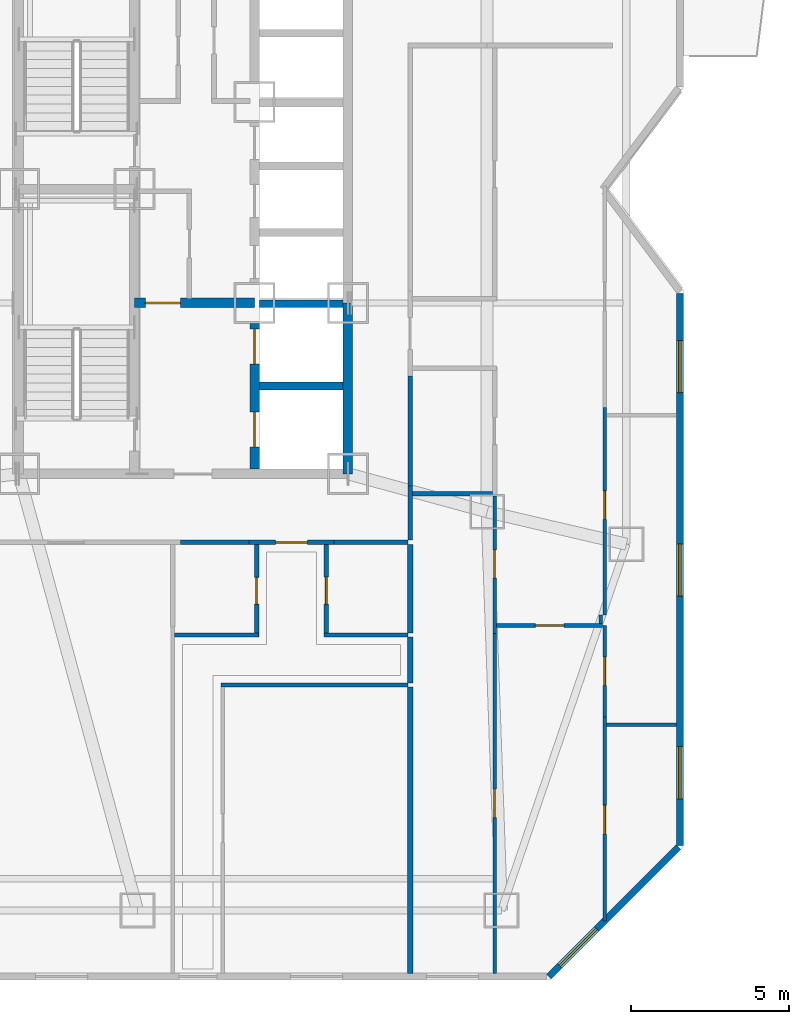
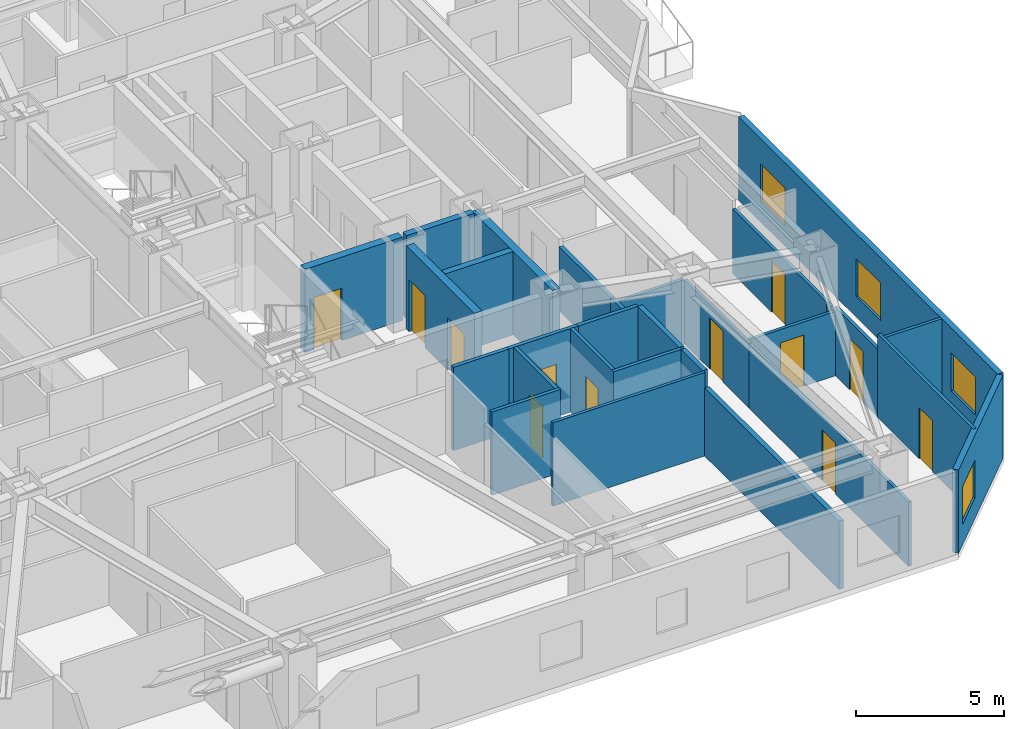
# One storey, part 10 of 17: 29 walls, 12 doors, 4 windows, 16 openings.
"""IFC4 building model written with IfcOpenShell, lengths in metres."""

from ifc_helpers import new_model, si_unit, direction, frame, frame_2d, origin, place, context, subcontext, project, spatial, rectangle, extrude, material, layer, layer_set, type_object, element, fill, save


model = new_model("IFC4")

# Units and contexts
model_context = context("Model", 3, precision=1e-05, world=origin(), true_north=direction((0.0, 1.0)))
body_context = subcontext(model_context, "Body", "Model", "MODEL_VIEW")
ifc_project = project(units=[si_unit("LENGTHUNIT", "METRE"), si_unit("AREAUNIT", "SQUARE_METRE"), si_unit("VOLUMEUNIT", "CUBIC_METRE"), si_unit("PLANEANGLEUNIT", "RADIAN"), si_unit("MASSUNIT", "GRAM", prefix="KILO")], contexts=[model_context])

# Site, building, storey
site_placement = place(None, origin())
site = spatial("IfcSite", under=ifc_project, at=site_placement, CompositionType="ELEMENT")
building_placement = place(site_placement, origin())
building = spatial("IfcBuilding", under=site, at=building_placement, Name="Khamvora Tower", CompositionType="ELEMENT")
storey_placement = place(building_placement, frame((0.0, 0.0, 44.25)))
storey = spatial("IfcBuildingStorey", under=building, at=storey_placement, Name="L10", CompositionType="ELEMENT", Elevation=44.25)

# Wall
ifc_material_1 = material(Name="Concrete C50/60", Category="concrete")
ifc_layer_1 = layer(ifc_material_1, 0.300048828125)
ifc_layer_set_1 = layer_set([ifc_layer_1], Name="Concrete C50/60")
wall_type_1 = type_object("IfcWallType", Name="WAL-CORE-300", PredefinedType="SHEAR", material=ifc_layer_set_1)
wall_1_placement = place(storey_placement, frame((39.39990234375, 19.0, 0.0), z_axis=(0.0, 0.0, 1.0), x_axis=(0.0, 1.0, 0.0)))
element("IfcWall", 1, at=wall_1_placement, inside=storey, type_object=wall_type_1, Name="L10 central core east south wall", PredefinedType="SHEAR", context=body_context, shape_type="SweptSolid", body=[
    extrude(rectangle(XDim=5.39990234375, YDim=0.300048828125, at=frame_2d((2.699951171875, 0.0))), origin(), (0.0, 0.0, 1.0), 3.429931640625),
])

# Wall, opening, door
wall_2_placement = place(storey_placement, frame((32.64990234375, 24.39990234375, 0.0), z_axis=(0.0, 0.0, 1.0), x_axis=(1.0, 0.0, 0.0)))
wall_2 = element("IfcWall", 2, at=wall_2_placement, inside=storey, type_object=wall_type_1, Name="L10 central core firefighting lobby north wall", PredefinedType="SHEAR", context=body_context, shape_type="SweptSolid", body=[
    extrude(rectangle(XDim=3.800048828125, YDim=0.300048828125, at=frame_2d((1.89990234375, 0.0))), origin(), (0.0, 0.0, 1.0), 3.429931640625),
])
opening_1_placement = place(wall_2_placement, frame((0.35009765625, 0.0, 0.0)))
opening_1 = element("IfcOpeningElement", 3, at=opening_1_placement, cuts=wall_2, Name="Opening D-FF1", PredefinedType="OPENING", context=body_context, shape_type="SweptSolid", body=[
    extrude(rectangle(XDim=1.10009765625, YDim=2.14990234375, at=frame_2d((0.550048828125, 1.074951171875))), frame((0.0, 0.159912109375, 0.0), z_axis=(0.0, -1.0, 0.0), x_axis=(1.0, 0.0, 0.0)), (0.0, 0.0, 1.0), 0.320068359375),
])
ifc_material_2 = material(Name="Powder-Coated Steel and Hardwood Leaf", Category="steel")
door_type_1 = type_object("IfcDoorType", Name="DOR-FFLOB-1100", OperationType="NOTDEFINED", PredefinedType="DOOR", material=ifc_material_2)
door_1_placement = place(opening_1_placement, origin())
door_1 = element("IfcDoor", 4, at=door_1_placement, inside=storey, type_object=door_type_1, Name="L10 firefighting lobby smoke-seal fire door", OperationType="SINGLE_SWING_LEFT", OverallHeight=2.14990234375, OverallWidth=1.10009765625, PredefinedType="DOOR", context=body_context, shape_type="SweptSolid", body=[
    extrude(rectangle(XDim=1.10009765625, YDim=2.14990234375, at=frame_2d((0.550048828125, 1.074951171875))), frame((0.0, 0.02490234375, 0.0), z_axis=(0.0, -1.0, 0.0), x_axis=(1.0, 0.0, 0.0)), (0.0, 0.0, 1.0), 0.050048828125),
])
fill(opening_1, door_1)

# Wall, openings, doors
wall_3_placement = place(storey_placement, frame((36.449951171875, 19.154052734375, 0.0), z_axis=(0.0, 0.0, 1.0), x_axis=(0.0, 1.0, 0.0)))
wall_3 = element("IfcWall", 5, at=wall_3_placement, inside=storey, type_object=wall_type_1, Name="L10 central core lift bank south wall", PredefinedType="SHEAR", context=body_context, shape_type="SweptSolid", body=[
    extrude(rectangle(XDim=4.595947265625, YDim=0.300048828125, at=frame_2d((2.2978515625, 0.0))), origin(), (0.0, 0.0, 1.0), 3.429931640625),
])
opening_2_placement = place(wall_3_placement, frame((0.696044921875, 0.0, 0.0)))
opening_2 = element("IfcOpeningElement", 6, at=opening_2_placement, cuts=wall_3, Name="Opening LD-FFL", PredefinedType="OPENING", context=body_context, shape_type="SweptSolid", body=[
    extrude(rectangle(XDim=1.10009765625, YDim=2.14990234375, at=frame_2d((0.550048828125, 1.074951171875))), frame((0.0, 0.159912109375, 0.0), z_axis=(0.0, -1.0, 0.0), x_axis=(1.0, 0.0, 0.0)), (0.0, 0.0, 1.0), 0.320068359375),
])
opening_3_placement = place(wall_3_placement, frame((3.31591796875, 0.0, 0.0)))
opening_3 = element("IfcOpeningElement", 7, at=opening_3_placement, cuts=wall_3, Name="Opening LD-FFL", PredefinedType="OPENING", context=body_context, shape_type="SweptSolid", body=[
    extrude(rectangle(XDim=1.10009765625, YDim=2.14990234375, at=frame_2d((0.550048828125, 1.074951171875))), frame((0.0, 0.159912109375, 0.0), z_axis=(0.0, -1.0, 0.0), x_axis=(1.0, 0.0, 0.0)), (0.0, 0.0, 1.0), 0.320068359375),
])
door_type_2 = type_object("IfcDoorType", Name="DOR-LIFT-1100", OperationType="SLIDING_TO_LEFT", PredefinedType="DOOR", material=ifc_material_2)
door_2_placement = place(opening_2_placement, origin())
door_2 = element("IfcDoor", 8, at=door_2_placement, inside=storey, type_object=door_type_2, Name="L10 lift landing sliding door FFL-01", OperationType="SLIDING_TO_LEFT", OverallHeight=2.14990234375, OverallWidth=1.10009765625, PredefinedType="DOOR", context=body_context, shape_type="SweptSolid", body=[
    extrude(rectangle(XDim=1.10009765625, YDim=2.14990234375, at=frame_2d((0.550048828125, 1.074951171875))), frame((0.0, 0.02490234375, 0.0), z_axis=(0.0, -1.0, 0.0), x_axis=(1.0, 0.0, 0.0)), (0.0, 0.0, 1.0), 0.050048828125),
])
fill(opening_2, door_2)
door_3_placement = place(opening_3_placement, origin())
door_3 = element("IfcDoor", 9, at=door_3_placement, inside=storey, type_object=door_type_2, Name="L10 lift landing sliding door FFL-02", OperationType="SLIDING_TO_LEFT", OverallHeight=2.14990234375, OverallWidth=1.10009765625, PredefinedType="DOOR", context=body_context, shape_type="SweptSolid", body=[
    extrude(rectangle(XDim=1.10009765625, YDim=2.14990234375, at=frame_2d((0.550048828125, 1.074951171875))), frame((0.0, 0.02490234375, 0.0), z_axis=(0.0, -1.0, 0.0), x_axis=(1.0, 0.0, 0.0)), (0.0, 0.0, 1.0), 0.050048828125),
])
fill(opening_3, door_3)

# Wall, opening, door
ifc_material_3 = material(Name="Fire-Rated Drywall and Steel Stud", Category="steel")
ifc_layer_2 = layer(ifc_material_3, 0.14990234375)
ifc_layer_set_2 = layer_set([ifc_layer_2], Name="Fire-Rated Drywall and Steel Stud")
wall_type_2 = type_object("IfcWallType", Name="WAL-CORR-150", PredefinedType="STANDARD", material=ifc_layer_set_2)
wall_4_placement = place(storey_placement, frame((38.964111328125, 16.8349609375, 0.0), z_axis=(0.0, 0.0, 1.0), x_axis=(-1.0, 0.0, 0.0)))
wall_4 = element("IfcWall", 10, at=wall_4_placement, inside=storey, type_object=wall_type_2, Name="L10 interior partition wall 026", PredefinedType="STANDARD", context=body_context, shape_type="SweptSolid", body=[
    extrude(rectangle(XDim=2.697998046875, YDim=0.14990234375, at=frame_2d((1.34912109375, 0.0))), origin(), (0.0, 0.0, 1.0), 3.429931640625),
])
opening_4_placement = place(wall_4_placement, frame((0.84912109375, 0.0, 0.0)))
opening_4 = element("IfcOpeningElement", 11, at=opening_4_placement, cuts=wall_4, Name="Opening D-U1", PredefinedType="OPENING", context=body_context, shape_type="SweptSolid", body=[
    extrude(rectangle(XDim=1.0, YDim=2.14990234375, at=frame_2d((0.5, 1.074951171875))), frame((0.0, 0.0849609375, 0.0), z_axis=(0.0, -1.0, 0.0), x_axis=(1.0, 0.0, 0.0)), (0.0, 0.0, 1.0), 0.169921875),
])
door_type_3 = type_object("IfcDoorType", Name="DOR-UNIT-1000", OperationType="NOTDEFINED", PredefinedType="DOOR", material=ifc_material_2)
door_4_placement = place(opening_4_placement, origin())
door_4 = element("IfcDoor", 12, at=door_4_placement, inside=storey, type_object=door_type_3, Name="L10 interior door COR-10SAH", OperationType="SINGLE_SWING_RIGHT", OverallHeight=2.14990234375, OverallWidth=1.0, PredefinedType="DOOR", context=body_context, shape_type="SweptSolid", body=[
    extrude(rectangle(XDim=1.0, YDim=2.14990234375, at=frame_2d((0.5, 1.074951171875))), frame((0.0, 0.02490234375, 0.0), z_axis=(0.0, -1.0, 0.0), x_axis=(1.0, 0.0, 0.0)), (0.0, 0.0, 1.0), 0.050048828125),
])
fill(opening_4, door_4)

# Walls
wall_5_placement = place(storey_placement, frame((36.26611328125, 16.8349609375, 0.0), z_axis=(0.0, 0.0, 1.0), x_axis=(-1.0, 0.0, 0.0)))
element("IfcWall", 13, at=wall_5_placement, inside=storey, type_object=wall_type_2, Name="L10 interior partition wall 027", PredefinedType="STANDARD", context=body_context, shape_type="SweptSolid", body=[
    extrude(rectangle(XDim=2.152099609375, YDim=0.14990234375, at=frame_2d((1.076171875, 0.0))), origin(), (0.0, 0.0, 1.0), 3.429931640625),
])
wall_6_placement = place(storey_placement, frame((41.300048828125, 16.8349609375, 0.0), z_axis=(0.0, 0.0, 1.0), x_axis=(-1.0, 0.0, 0.0)))
element("IfcWall", 14, at=wall_6_placement, inside=storey, type_object=wall_type_2, Name="L10 interior partition wall 028", PredefinedType="STANDARD", context=body_context, shape_type="SweptSolid", body=[
    extrude(rectangle(XDim=2.3359375, YDim=0.14990234375, at=frame_2d((1.16796875, 0.0))), origin(), (0.0, 0.0, 1.0), 3.429931640625),
])
wall_7_placement = place(storey_placement, frame((41.364990234375, 18.617919921875, 0.0), z_axis=(0.0, 0.0, 1.0), x_axis=(0.0, -1.0, 0.0)))
element("IfcWall", 15, at=wall_7_placement, inside=storey, type_object=wall_type_2, Name="L10 interior partition wall 032", PredefinedType="STANDARD", context=body_context, shape_type="SweptSolid", body=[
    extrude(rectangle(XDim=1.718017578125, YDim=0.14990234375, at=frame_2d((0.85888671875, 0.0))), origin(), (0.0, 0.0, 1.0), 2.64697265625),
])
wall_8_placement = place(storey_placement, frame((41.364990234375, 22.0849609375, 0.0), z_axis=(0.0, 0.0, 1.0), x_axis=(0.0, -1.0, 0.0)))
element("IfcWall", 16, at=wall_8_placement, inside=storey, type_object=wall_type_2, Name="L10 interior partition wall 035", PredefinedType="STANDARD", context=body_context, shape_type="SweptSolid", body=[
    extrude(rectangle(XDim=3.467041015625, YDim=0.14990234375, at=frame_2d((1.7333984375, 0.0))), origin(), (0.0, 0.0, 1.0), 2.64697265625),
])
ifc_material_4 = material(Name="Acoustic Double-Stud Fire Wall", Category="gypsum")
ifc_layer_3 = layer(ifc_material_4, 0.179931640625)
ifc_layer_set_3 = layer_set([ifc_layer_3], Name="Acoustic Double-Stud Fire Wall")
wall_type_3 = type_object("IfcWallType", Name="WAL-CORR-180", PredefinedType="STANDARD", material=ifc_layer_set_3)
wall_9_placement = place(storey_placement, frame((41.364990234375, 13.841064453125, 0.0), z_axis=(0.0, 0.0, 1.0), x_axis=(0.0, -1.0, 0.0)))
element("IfcWall", 17, at=wall_9_placement, inside=storey, type_object=wall_type_3, Name="L10 interior partition wall 131", PredefinedType="STANDARD", context=body_context, shape_type="SweptSolid", body=[
    extrude(rectangle(XDim=1.449951171875, YDim=0.179931640625, at=frame_2d((0.72509765625, 0.0))), origin(), (0.0, 0.0, 1.0), 3.429931640625),
])
wall_10_placement = place(storey_placement, frame((41.364990234375, 16.77001953125, 0.0), z_axis=(0.0, 0.0, 1.0), x_axis=(0.0, -1.0, 0.0)))
element("IfcWall", 18, at=wall_10_placement, inside=storey, type_object=wall_type_3, Name="L10 interior partition wall 132", PredefinedType="STANDARD", context=body_context, shape_type="SweptSolid", body=[
    extrude(rectangle(XDim=2.799072265625, YDim=0.179931640625, at=frame_2d((1.3994140625, 0.0))), origin(), (0.0, 0.0, 1.0), 3.429931640625),
])
wall_11_placement = place(storey_placement, frame((41.364990234375, 12.260986328125, 0.0), z_axis=(0.0, 0.0, 1.0), x_axis=(0.0, -1.0, 0.0)))
element("IfcWall", 19, at=wall_11_placement, inside=storey, type_object=wall_type_3, Name="L10 interior partition wall 133", PredefinedType="STANDARD", context=body_context, shape_type="SweptSolid", body=[
    extrude(rectangle(XDim=9.049072265625, YDim=0.179931640625, at=frame_2d((4.5244140625, 0.0))), origin(), (0.0, 0.0, 1.0), 2.802978515625),
])

# Wall, openings, windows
ifc_material_5 = material(Name="Precast concrete C40/50", Category="concrete")
ifc_layer_4 = layer(ifc_material_5, 0.219970703125)
ifc_layer_set_4 = layer_set([ifc_layer_4], Name="Precast concrete C40/50")
wall_type_4 = type_object("IfcWallType", Name="WAL-EXT-220", PredefinedType="STANDARD", material=ifc_layer_set_4)
wall_12_placement = place(storey_placement, frame((49.889892578125, 24.70703125, 0.0), z_axis=(0.0, 0.0, 1.0), x_axis=(0.0, -1.0, 0.0)))
wall_12 = element("IfcWall", 20, at=wall_12_placement, inside=storey, type_object=wall_type_4, Name="L10 exterior facade wall 12.1", PredefinedType="STANDARD", context=body_context, shape_type="SweptSolid", body=[
    extrude(rectangle(XDim=17.4609375, YDim=0.219970703125, at=frame_2d((8.73046875, 0.0))), origin(), (0.0, 0.0, 1.0), 3.429931640625),
])
opening_5_placement = place(wall_12_placement, frame((14.3330078125, 0.0, 0.85009765625)))
opening_5 = element("IfcOpeningElement", 21, at=opening_5_placement, cuts=wall_12, Name="Opening WN-06", PredefinedType="OPENING", context=body_context, shape_type="SweptSolid", body=[
    extrude(rectangle(XDim=1.64990234375, YDim=1.550048828125, at=frame_2d((0.824951171875, 0.77490234375))), frame((0.0, 0.119873046875, 0.0), z_axis=(0.0, -1.0, 0.0), x_axis=(1.0, 0.0, 0.0)), (0.0, 0.0, 1.0), 0.239990234375),
])
opening_6_placement = place(wall_12_placement, frame((7.922119140625, 0.0, 0.85009765625)))
opening_6 = element("IfcOpeningElement", 22, at=opening_6_placement, cuts=wall_12, Name="Opening WN-06", PredefinedType="OPENING", context=body_context, shape_type="SweptSolid", body=[
    extrude(rectangle(XDim=1.64990234375, YDim=1.550048828125, at=frame_2d((0.824951171875, 0.77490234375))), frame((0.0, 0.119873046875, 0.0), z_axis=(0.0, -1.0, 0.0), x_axis=(1.0, 0.0, 0.0)), (0.0, 0.0, 1.0), 0.239990234375),
])
opening_7_placement = place(wall_12_placement, frame((1.493896484375, 0.0, 0.85009765625)))
opening_7 = element("IfcOpeningElement", 23, at=opening_7_placement, cuts=wall_12, Name="Opening WN-06", PredefinedType="OPENING", context=body_context, shape_type="SweptSolid", body=[
    extrude(rectangle(XDim=1.64990234375, YDim=1.550048828125, at=frame_2d((0.824951171875, 0.77490234375))), frame((0.0, 0.119873046875, 0.0), z_axis=(0.0, -1.0, 0.0), x_axis=(1.0, 0.0, 0.0)), (0.0, 0.0, 1.0), 0.239990234375),
])
ifc_material_6 = material(Name="Low-E Laminated Double Glazing", Category="glass")
window_type = type_object("IfcWindowType", Name="WIN-VIS-1650x1550", PartitioningType="SINGLE_PANEL", PredefinedType="WINDOW", material=ifc_material_6)
window_1_placement = place(opening_5_placement, origin())
window_1 = element("IfcWindow", 24, at=window_1_placement, inside=storey, type_object=window_type, Name="L10 vision window 12.1.01", OverallHeight=1.550048828125, OverallWidth=1.64990234375, PartitioningType="SINGLE_PANEL", PredefinedType="WINDOW", context=body_context, shape_type="SweptSolid", body=[
    extrude(rectangle(XDim=1.64990234375, YDim=1.550048828125, at=frame_2d((0.824951171875, 0.77490234375))), frame((0.0, 0.030029296875, 0.0), z_axis=(0.0, -1.0, 0.0), x_axis=(1.0, 0.0, 0.0)), (0.0, 0.0, 1.0), 0.06005859375),
])
fill(opening_5, window_1)
window_2_placement = place(opening_6_placement, origin())
window_2 = element("IfcWindow", 25, at=window_2_placement, inside=storey, type_object=window_type, Name="L10 vision window 12.1.02", OverallHeight=1.550048828125, OverallWidth=1.64990234375, PartitioningType="SINGLE_PANEL", PredefinedType="WINDOW", context=body_context, shape_type="SweptSolid", body=[
    extrude(rectangle(XDim=1.64990234375, YDim=1.550048828125, at=frame_2d((0.824951171875, 0.77490234375))), frame((0.0, 0.030029296875, 0.0), z_axis=(0.0, -1.0, 0.0), x_axis=(1.0, 0.0, 0.0)), (0.0, 0.0, 1.0), 0.06005859375),
])
fill(opening_6, window_2)
window_3_placement = place(opening_7_placement, origin())
window_3 = element("IfcWindow", 26, at=window_3_placement, inside=storey, type_object=window_type, Name="L10 vision window 12.1.03", OverallHeight=1.550048828125, OverallWidth=1.64990234375, PartitioningType="SINGLE_PANEL", PredefinedType="WINDOW", context=body_context, shape_type="SweptSolid", body=[
    extrude(rectangle(XDim=1.64990234375, YDim=1.550048828125, at=frame_2d((0.824951171875, 0.77490234375))), frame((0.0, 0.030029296875, 0.0), z_axis=(0.0, -1.0, 0.0), x_axis=(1.0, 0.0, 0.0)), (0.0, 0.0, 1.0), 0.06005859375),
])
fill(opening_7, window_3)

# Wall, opening, window
wall_13_placement = place(storey_placement, frame((49.840087890625, 7.196044921875, 0.0), z_axis=(0.0, 0.0, 1.0), x_axis=(-0.707127905562, -0.70708565618, 0.0)))
wall_13 = element("IfcWall", 27, at=wall_13_placement, inside=storey, type_object=wall_type_4, Name="L10 exterior facade wall 13.1", PredefinedType="STANDARD", context=body_context, shape_type="SweptSolid", body=[
    extrude(rectangle(XDim=5.778564453125, YDim=0.219970703125, at=frame_2d((2.88916015625, 0.0))), origin(), (0.0, 0.0, 1.0), 3.429931640625),
])
opening_8_placement = place(wall_13_placement, frame((3.65087890625, 0.0, 0.85009765625)))
opening_8 = element("IfcOpeningElement", 28, at=opening_8_placement, cuts=wall_13, Name="Opening WN-06", PredefinedType="OPENING", context=body_context, shape_type="SweptSolid", body=[
    extrude(rectangle(XDim=1.64990234375, YDim=1.550048828125, at=frame_2d((0.824951171875, 0.77490234375))), frame((0.0, 0.119873046875, 0.0), z_axis=(0.0, -1.0, 0.0), x_axis=(1.0, 0.0, 0.0)), (0.0, 0.0, 1.0), 0.239990234375),
])
window_4_placement = place(opening_8_placement, origin())
window_4 = element("IfcWindow", 29, at=window_4_placement, inside=storey, type_object=window_type, Name="L10 vision window 13.1.01", OverallHeight=1.550048828125, OverallWidth=1.64990234375, PartitioningType="SINGLE_PANEL", PredefinedType="WINDOW", context=body_context, shape_type="SweptSolid", body=[
    extrude(rectangle(XDim=1.64990234375, YDim=1.550048828125, at=frame_2d((0.824951171875, 0.77490234375))), frame((0.0, 0.030029296875, 0.0), z_axis=(0.0, -1.0, 0.0), x_axis=(1.0, 0.0, 0.0)), (0.0, 0.0, 1.0), 0.06005859375),
])
fill(opening_8, window_4)

# Wall
ifc_material_7 = material(Name="Gypsum Plasterboard Partition", Category="gypsum")
ifc_layer_5 = layer(ifc_material_7, 0.1201171875)
ifc_layer_set_5 = layer_set([ifc_layer_5], Name="Gypsum Plasterboard Partition")
wall_type_5 = type_object("IfcWallType", Name="WAL-PART-120", PredefinedType="PARTITIONING", material=ifc_layer_set_5)
wall_14_placement = place(storey_placement, frame((41.300048828125, 12.325927734375, 0.0), z_axis=(0.0, 0.0, 1.0), x_axis=(-1.0, 0.0, 0.0)))
element("IfcWall", 30, at=wall_14_placement, inside=storey, type_object=wall_type_5, Name="L10 interior partition wall 129", PredefinedType="PARTITIONING", context=body_context, shape_type="SweptSolid", body=[
    extrude(rectangle(XDim=5.920166015625, YDim=0.1201171875, at=frame_2d((2.9599609375, 0.0))), origin(), (0.0, 0.0, 1.0), 3.429931640625),
])

# Wall, opening, door
wall_15_placement = place(storey_placement, frame((44.0380859375, 18.303955078125, 0.0), z_axis=(0.0, 0.0, 1.0), x_axis=(0.0, -1.0, 0.0)))
wall_15 = element("IfcWall", 31, at=wall_15_placement, inside=storey, type_object=wall_type_5, Name="L10 interior partition wall 147", PredefinedType="PARTITIONING", context=body_context, shape_type="SweptSolid", body=[
    extrude(rectangle(XDim=4.35107421875, YDim=0.1201171875, at=frame_2d((2.175537109375, 0.0))), origin(), (0.0, 0.0, 1.0), 2.64697265625),
])
opening_9_placement = place(wall_15_placement, frame((1.705078125, 0.0, 0.0)))
opening_9 = element("IfcOpeningElement", 32, at=opening_9_placement, cuts=wall_15, Name="Opening D-RM1", PredefinedType="OPENING", context=body_context, shape_type="SweptSolid", body=[
    extrude(rectangle(XDim=0.89990234375, YDim=2.10009765625, at=frame_2d((0.449951171875, 1.050048828125))), frame((0.0, 0.070068359375, 0.0), z_axis=(0.0, -1.0, 0.0), x_axis=(1.0, 0.0, 0.0)), (0.0, 0.0, 1.0), 0.14013671875),
])
door_type_4 = type_object("IfcDoorType", Name="DOR-ROOM-900", OperationType="NOTDEFINED", PredefinedType="DOOR", material=ifc_material_2)
door_5_placement = place(opening_9_placement, origin())
door_5 = element("IfcDoor", 33, at=door_5_placement, inside=storey, type_object=door_type_4, Name="L10 interior door 10EAW1-10EAH", OperationType="SINGLE_SWING_RIGHT", OverallHeight=2.10009765625, OverallWidth=0.89990234375, PredefinedType="DOOR", context=body_context, shape_type="SweptSolid", body=[
    extrude(rectangle(XDim=0.89990234375, YDim=2.10009765625, at=frame_2d((0.449951171875, 1.050048828125))), frame((0.0, 0.02490234375, 0.0), z_axis=(0.0, -1.0, 0.0), x_axis=(1.0, 0.0, 0.0)), (0.0, 0.0, 1.0), 0.050048828125),
])
fill(opening_9, door_5)

wall_16_placement = place(storey_placement, frame((44.0380859375, 13.952880859375, 0.0), z_axis=(0.0, 0.0, 1.0), x_axis=(0.0, -1.0, 0.0)))
wall_16 = element("IfcWall", 34, at=wall_16_placement, inside=storey, type_object=wall_type_5, Name="L10 interior partition wall 148", PredefinedType="PARTITIONING", context=body_context, shape_type="SweptSolid", body=[
    extrude(rectangle(XDim=10.740966796875, YDim=0.1201171875, at=frame_2d((5.37060546875, 0.0))), origin(), (0.0, 0.0, 1.0), 2.64697265625),
])
opening_10_placement = place(wall_16_placement, frame((4.919921875, 0.0, 0.0)))
opening_10 = element("IfcOpeningElement", 35, at=opening_10_placement, cuts=wall_16, Name="Opening D-RM1", PredefinedType="OPENING", context=body_context, shape_type="SweptSolid", body=[
    extrude(rectangle(XDim=0.89990234375, YDim=2.10009765625, at=frame_2d((0.449951171875, 1.050048828125))), frame((0.0, 0.070068359375, 0.0), z_axis=(0.0, -1.0, 0.0), x_axis=(1.0, 0.0, 0.0)), (0.0, 0.0, 1.0), 0.14013671875),
])
door_6_placement = place(opening_10_placement, origin())
door_6 = element("IfcDoor", 36, at=door_6_placement, inside=storey, type_object=door_type_4, Name="L10 interior door 10EAW1-10EAD", OperationType="SINGLE_SWING_LEFT", OverallHeight=2.10009765625, OverallWidth=0.89990234375, PredefinedType="DOOR", context=body_context, shape_type="SweptSolid", body=[
    extrude(rectangle(XDim=0.89990234375, YDim=2.10009765625, at=frame_2d((0.449951171875, 1.050048828125))), frame((0.0, 0.02490234375, 0.0), z_axis=(0.0, -1.0, 0.0), x_axis=(1.0, 0.0, 0.0)), (0.0, 0.0, 1.0), 0.050048828125),
])
fill(opening_10, door_6)

wall_17_placement = place(storey_placement, frame((47.452880859375, 14.201904296875, 0.0), z_axis=(0.0, 0.0, 1.0), x_axis=(-1.0, 0.0, 0.0)))
wall_17 = element("IfcWall", 37, at=wall_17_placement, inside=storey, type_object=wall_type_5, Name="L10 interior partition wall 150", PredefinedType="PARTITIONING", context=body_context, shape_type="SweptSolid", body=[
    extrude(rectangle(XDim=3.36083984375, YDim=0.1201171875, at=frame_2d((1.680419921875, 0.0))), origin(), (0.0, 0.0, 1.0), 2.64697265625),
])
opening_11_placement = place(wall_17_placement, frame((1.23095703125, 0.0, 0.0)))
opening_11 = element("IfcOpeningElement", 38, at=opening_11_placement, cuts=wall_17, Name="Opening D-RM1", PredefinedType="OPENING", context=body_context, shape_type="SweptSolid", body=[
    extrude(rectangle(XDim=0.89990234375, YDim=2.10009765625, at=frame_2d((0.449951171875, 1.050048828125))), frame((0.0, 0.070068359375, 0.0), z_axis=(0.0, -1.0, 0.0), x_axis=(1.0, 0.0, 0.0)), (0.0, 0.0, 1.0), 0.14013671875),
])
door_7_placement = place(opening_11_placement, origin())
door_7 = element("IfcDoor", 39, at=door_7_placement, inside=storey, type_object=door_type_4, Name="L10 interior door 10EAH-10EAD", OperationType="SINGLE_SWING_RIGHT", OverallHeight=2.10009765625, OverallWidth=0.89990234375, PredefinedType="DOOR", context=body_context, shape_type="SweptSolid", body=[
    extrude(rectangle(XDim=0.89990234375, YDim=2.10009765625, at=frame_2d((0.449951171875, 1.050048828125))), frame((0.0, 0.02490234375, 0.0), z_axis=(0.0, -1.0, 0.0), x_axis=(1.0, 0.0, 0.0)), (0.0, 0.0, 1.0), 0.050048828125),
])
fill(opening_11, door_7)

# Wall
wall_18_placement = place(storey_placement, frame((47.387939453125, 14.5419921875, 0.0), z_axis=(0.0, 0.0, 1.0), x_axis=(0.0, -1.0, 0.0)))
element("IfcWall", 40, at=wall_18_placement, inside=storey, type_object=wall_type_5, Name="L10 interior partition wall 151", PredefinedType="PARTITIONING", context=body_context, shape_type="SweptSolid", body=[
    extrude(rectangle(XDim=0.27490234375, YDim=0.1201171875, at=frame_2d((0.137451171875, 0.0))), origin(), (0.0, 0.0, 1.0), 2.802978515625),
])

# Wall, opening, door
wall_19_placement = place(storey_placement, frame((47.51806640625, 21.10205078125, 0.0), z_axis=(0.0, 0.0, 1.0), x_axis=(0.0, -1.0, 0.0)))
wall_19 = element("IfcWall", 41, at=wall_19_placement, inside=storey, type_object=wall_type_5, Name="L10 interior partition wall 156", PredefinedType="PARTITIONING", context=body_context, shape_type="SweptSolid", body=[
    extrude(rectangle(XDim=6.56005859375, YDim=0.1201171875, at=frame_2d((3.280029296875, 0.0))), origin(), (0.0, 0.0, 1.0), 2.64697265625),
])
opening_12_placement = place(wall_19_placement, frame((2.639892578125, 0.0, 0.0)))
opening_12 = element("IfcOpeningElement", 42, at=opening_12_placement, cuts=wall_19, Name="Opening D-RM1", PredefinedType="OPENING", context=body_context, shape_type="SweptSolid", body=[
    extrude(rectangle(XDim=0.89990234375, YDim=2.10009765625, at=frame_2d((0.449951171875, 1.050048828125))), frame((0.0, 0.070068359375, 0.0), z_axis=(0.0, -1.0, 0.0), x_axis=(1.0, 0.0, 0.0)), (0.0, 0.0, 1.0), 0.14013671875),
])
door_8_placement = place(opening_12_placement, origin())
door_8 = element("IfcDoor", 43, at=door_8_placement, inside=storey, type_object=door_type_4, Name="L10 interior door 10EAH-10EAR2", OperationType="SINGLE_SWING_LEFT", OverallHeight=2.10009765625, OverallWidth=0.89990234375, PredefinedType="DOOR", context=body_context, shape_type="SweptSolid", body=[
    extrude(rectangle(XDim=0.89990234375, YDim=2.10009765625, at=frame_2d((0.449951171875, 1.050048828125))), frame((0.0, 0.02490234375, 0.0), z_axis=(0.0, -1.0, 0.0), x_axis=(1.0, 0.0, 0.0)), (0.0, 0.0, 1.0), 0.050048828125),
])
fill(opening_12, door_8)

wall_20_placement = place(storey_placement, frame((47.51806640625, 11.31591796875, 0.0), z_axis=(0.0, 0.0, 1.0), x_axis=(0.0, -1.0, 0.0)))
wall_20 = element("IfcWall", 44, at=wall_20_placement, inside=storey, type_object=wall_type_5, Name="L10 interior partition wall 158", PredefinedType="PARTITIONING", context=body_context, shape_type="SweptSolid", body=[
    extrude(rectangle(XDim=6.452880859375, YDim=0.1201171875, at=frame_2d((3.2265625, 0.0))), origin(), (0.0, 0.0, 1.0), 3.429931640625),
])
opening_13_placement = place(wall_20_placement, frame((2.797119140625, 0.0, 0.0)))
opening_13 = element("IfcOpeningElement", 45, at=opening_13_placement, cuts=wall_20, Name="Opening D-RM1", PredefinedType="OPENING", context=body_context, shape_type="SweptSolid", body=[
    extrude(rectangle(XDim=0.89990234375, YDim=2.10009765625, at=frame_2d((0.449951171875, 1.050048828125))), frame((0.0, 0.070068359375, 0.0), z_axis=(0.0, -1.0, 0.0), x_axis=(1.0, 0.0, 0.0)), (0.0, 0.0, 1.0), 0.14013671875),
])
door_9_placement = place(opening_13_placement, origin())
door_9 = element("IfcDoor", 46, at=door_9_placement, inside=storey, type_object=door_type_4, Name="L10 interior door 10EAD-10EAL", OperationType="SINGLE_SWING_RIGHT", OverallHeight=2.10009765625, OverallWidth=0.89990234375, PredefinedType="DOOR", context=body_context, shape_type="SweptSolid", body=[
    extrude(rectangle(XDim=0.89990234375, YDim=2.10009765625, at=frame_2d((0.449951171875, 1.050048828125))), frame((0.0, 0.02490234375, 0.0), z_axis=(0.0, -1.0, 0.0), x_axis=(1.0, 0.0, 0.0)), (0.0, 0.0, 1.0), 0.050048828125),
])
fill(opening_13, door_9)

wall_21_placement = place(storey_placement, frame((47.51806640625, 14.201904296875, 0.0), z_axis=(0.0, 0.0, 1.0), x_axis=(0.0, -1.0, 0.0)))
wall_21 = element("IfcWall", 47, at=wall_21_placement, inside=storey, type_object=wall_type_5, Name="L10 interior partition wall 159", PredefinedType="PARTITIONING", context=body_context, shape_type="SweptSolid", body=[
    extrude(rectangle(XDim=2.885986328125, YDim=0.1201171875, at=frame_2d((1.44287109375, 0.0))), origin(), (0.0, 0.0, 1.0), 2.802978515625),
])
opening_14_placement = place(wall_21_placement, frame((0.992919921875, 0.0, 0.0)))
opening_14 = element("IfcOpeningElement", 48, at=opening_14_placement, cuts=wall_21, Name="Opening D-RM1", PredefinedType="OPENING", context=body_context, shape_type="SweptSolid", body=[
    extrude(rectangle(XDim=0.89990234375, YDim=2.10009765625, at=frame_2d((0.449951171875, 1.050048828125))), frame((0.0, 0.070068359375, 0.0), z_axis=(0.0, -1.0, 0.0), x_axis=(1.0, 0.0, 0.0)), (0.0, 0.0, 1.0), 0.14013671875),
])
door_10_placement = place(opening_14_placement, origin())
door_10 = element("IfcDoor", 49, at=door_10_placement, inside=storey, type_object=door_type_4, Name="L10 interior door 10EAD-10EAR2", OperationType="SINGLE_SWING_LEFT", OverallHeight=2.10009765625, OverallWidth=0.89990234375, PredefinedType="DOOR", context=body_context, shape_type="SweptSolid", body=[
    extrude(rectangle(XDim=0.89990234375, YDim=2.10009765625, at=frame_2d((0.449951171875, 1.050048828125))), frame((0.0, 0.02490234375, 0.0), z_axis=(0.0, -1.0, 0.0), x_axis=(1.0, 0.0, 0.0)), (0.0, 0.0, 1.0), 0.050048828125),
])
fill(opening_14, door_10)

# Walls
wall_22_placement = place(storey_placement, frame((47.572021484375, 11.06689453125, 0.0), z_axis=(0.0, 0.0, 1.0), x_axis=(1.0, 0.0, 0.0)))
element("IfcWall", 50, at=wall_22_placement, inside=storey, type_object=wall_type_5, Name="L10 interior partition wall 160", PredefinedType="PARTITIONING", context=body_context, shape_type="SweptSolid", body=[
    extrude(rectangle(XDim=2.216064453125, YDim=0.1201171875, at=frame_2d((1.10791015625, 0.0))), origin(), (0.0, 0.0, 1.0), 3.429931640625),
])
ifc_material_8 = material(Name="Concrete C40/50", Category="concrete")
ifc_layer_6 = layer(ifc_material_8, 0.25)
ifc_layer_set_6 = layer_set([ifc_layer_6], Name="Concrete C40/50")
wall_type_6 = type_object("IfcWallType", Name="WAL-PODS-250", PredefinedType="SHEAR", material=ifc_layer_set_6)
for number, where, z_axis, x_axis, name in (
    (51, (36.60400390625, 21.77490234375, 0.0), (0.0, 0.0, 1.0), (1.0, 0.0, 0.0), "L10 lift shaft divider wall FFL-01"),
    (52, (36.60400390625, 24.375, 0.0), (0.0, 0.0, 1.0), (1.0, 0.0, 0.0), "L10 lift shaft divider wall FFL-02"),
):
    element("IfcWall", number, at=place(storey_placement, frame(where, z_axis=z_axis, x_axis=x_axis)), inside=storey, type_object=wall_type_6, Name=name, PredefinedType="SHEAR", context=body_context, shape_type="SweptSolid", body=[
        extrude(rectangle(XDim=2.64208984375, YDim=0.25, at=frame_2d((1.321044921875, 0.0))), origin(), (0.0, 0.0, 1.0), 3.429931640625),
    ])
ifc_material_9 = material(Name="Moisture-Resistant Plasterboard Partition", Category="gypsum")
ifc_layer_7 = layer(ifc_material_9, 0.135009765625)
ifc_layer_set_7 = layer_set([ifc_layer_7], Name="Moisture-Resistant Plasterboard Partition")
wall_type_7 = type_object("IfcWallType", Name="WAL-WET-135", PredefinedType="PARTITIONING", material=ifc_layer_set_7)
wall_23_placement = place(storey_placement, frame((33.9189453125, 13.906005859375, 0.0), z_axis=(0.0, 0.0, 1.0), x_axis=(1.0, 0.0, 0.0)))
element("IfcWall", 53, at=wall_23_placement, inside=storey, type_object=wall_type_7, Name="L10 interior partition wall 125", PredefinedType="PARTITIONING", context=body_context, shape_type="SweptSolid", body=[
    extrude(rectangle(XDim=2.6611328125, YDim=0.135009765625, at=frame_2d((1.33056640625, 0.0))), origin(), (0.0, 0.0, 1.0), 3.429931640625),
])

# Wall, opening, door
wall_24_placement = place(storey_placement, frame((36.514892578125, 13.841064453125, 0.0), z_axis=(0.0, 0.0, 1.0), x_axis=(0.0, 1.0, 0.0)))
wall_24 = element("IfcWall", 54, at=wall_24_placement, inside=storey, type_object=wall_type_7, Name="L10 interior partition wall 126", PredefinedType="PARTITIONING", context=body_context, shape_type="SweptSolid", body=[
    extrude(rectangle(XDim=2.928955078125, YDim=0.135009765625, at=frame_2d((1.46435546875, 0.0))), origin(), (0.0, 0.0, 1.0), 3.429931640625),
])
opening_15_placement = place(wall_24_placement, frame((1.0390625, 0.0, 0.0)))
opening_15 = element("IfcOpeningElement", 55, at=opening_15_placement, cuts=wall_24, Name="Opening D-WC1", PredefinedType="OPENING", context=body_context, shape_type="SweptSolid", body=[
    extrude(rectangle(XDim=0.85009765625, YDim=2.10009765625, at=frame_2d((0.425048828125, 1.050048828125))), frame((0.0, 0.077392578125, 0.0), z_axis=(0.0, -1.0, 0.0), x_axis=(1.0, 0.0, 0.0)), (0.0, 0.0, 1.0), 0.155029296875),
])
door_type_5 = type_object("IfcDoorType", Name="DOR-WET-850", OperationType="NOTDEFINED", PredefinedType="DOOR", material=ifc_material_2)
door_11_placement = place(opening_15_placement, origin())
door_11 = element("IfcDoor", 56, at=door_11_placement, inside=storey, type_object=door_type_5, Name="L10 interior door 10SAH-10SAB", OperationType="SINGLE_SWING_LEFT", OverallHeight=2.10009765625, OverallWidth=0.85009765625, PredefinedType="DOOR", context=body_context, shape_type="SweptSolid", body=[
    extrude(rectangle(XDim=0.85009765625, YDim=2.10009765625, at=frame_2d((0.425048828125, 1.050048828125))), frame((0.0, 0.02490234375, 0.0), z_axis=(0.0, -1.0, 0.0), x_axis=(1.0, 0.0, 0.0)), (0.0, 0.0, 1.0), 0.050048828125),
])
fill(opening_15, door_11)

wall_25_placement = place(storey_placement, frame((38.715087890625, 16.77001953125, 0.0), z_axis=(0.0, 0.0, 1.0), x_axis=(0.0, -1.0, 0.0)))
wall_25 = element("IfcWall", 57, at=wall_25_placement, inside=storey, type_object=wall_type_7, Name="L10 interior partition wall 127", PredefinedType="PARTITIONING", context=body_context, shape_type="SweptSolid", body=[
    extrude(rectangle(XDim=2.928955078125, YDim=0.135009765625, at=frame_2d((1.46435546875, 0.0))), origin(), (0.0, 0.0, 1.0), 3.429931640625),
])
opening_16_placement = place(wall_25_placement, frame((1.0390625, 0.0, 0.0)))
opening_16 = element("IfcOpeningElement", 58, at=opening_16_placement, cuts=wall_25, Name="Opening D-RM2", PredefinedType="OPENING", context=body_context, shape_type="SweptSolid", body=[
    extrude(rectangle(XDim=0.85009765625, YDim=2.10009765625, at=frame_2d((0.425048828125, 1.050048828125))), frame((0.0, 0.077392578125, 0.0), z_axis=(0.0, -1.0, 0.0), x_axis=(1.0, 0.0, 0.0)), (0.0, 0.0, 1.0), 0.155029296875),
])
door_type_6 = type_object("IfcDoorType", Name="DOR-ROOM-850", OperationType="NOTDEFINED", PredefinedType="DOOR", material=ifc_material_2)
door_12_placement = place(opening_16_placement, origin())
door_12 = element("IfcDoor", 59, at=door_12_placement, inside=storey, type_object=door_type_6, Name="L10 interior door 10SAH-10SAK", OperationType="SINGLE_SWING_RIGHT", OverallHeight=2.10009765625, OverallWidth=0.85009765625, PredefinedType="DOOR", context=body_context, shape_type="SweptSolid", body=[
    extrude(rectangle(XDim=0.85009765625, YDim=2.10009765625, at=frame_2d((0.425048828125, 1.050048828125))), frame((0.0, 0.02490234375, 0.0), z_axis=(0.0, -1.0, 0.0), x_axis=(1.0, 0.0, 0.0)), (0.0, 0.0, 1.0), 0.050048828125),
])
fill(opening_16, door_12)

# Walls
wall_26_placement = place(storey_placement, frame((38.64990234375, 13.906005859375, 0.0), z_axis=(0.0, 0.0, 1.0), x_axis=(1.0, 0.0, 0.0)))
element("IfcWall", 60, at=wall_26_placement, inside=storey, type_object=wall_type_7, Name="L10 interior partition wall 128", PredefinedType="PARTITIONING", context=body_context, shape_type="SweptSolid", body=[
    extrude(rectangle(XDim=2.650146484375, YDim=0.135009765625, at=frame_2d((1.3251953125, 0.0))), origin(), (0.0, 0.0, 1.0), 3.429931640625),
])
wall_27_placement = place(storey_placement, frame((41.431884765625, 18.368896484375, 0.0), z_axis=(0.0, 0.0, 1.0), x_axis=(1.0, 0.0, 0.0)))
element("IfcWall", 61, at=wall_27_placement, inside=storey, type_object=wall_type_7, Name="L10 interior partition wall 149", PredefinedType="PARTITIONING", context=body_context, shape_type="SweptSolid", body=[
    extrude(rectangle(XDim=2.541015625, YDim=0.135009765625, at=frame_2d((1.2705078125, 0.0))), origin(), (0.0, 0.0, 1.0), 2.64697265625),
])

save(model, "model.ifc")
